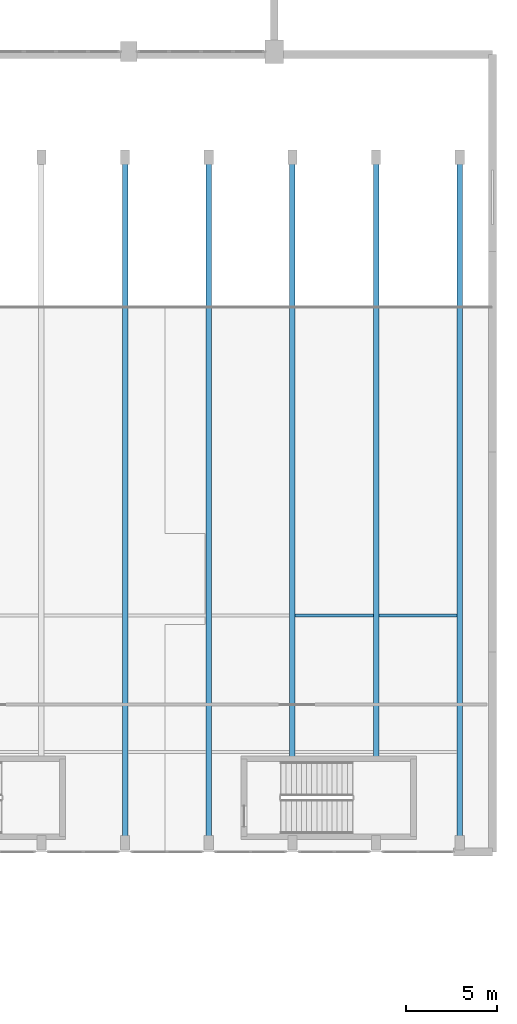
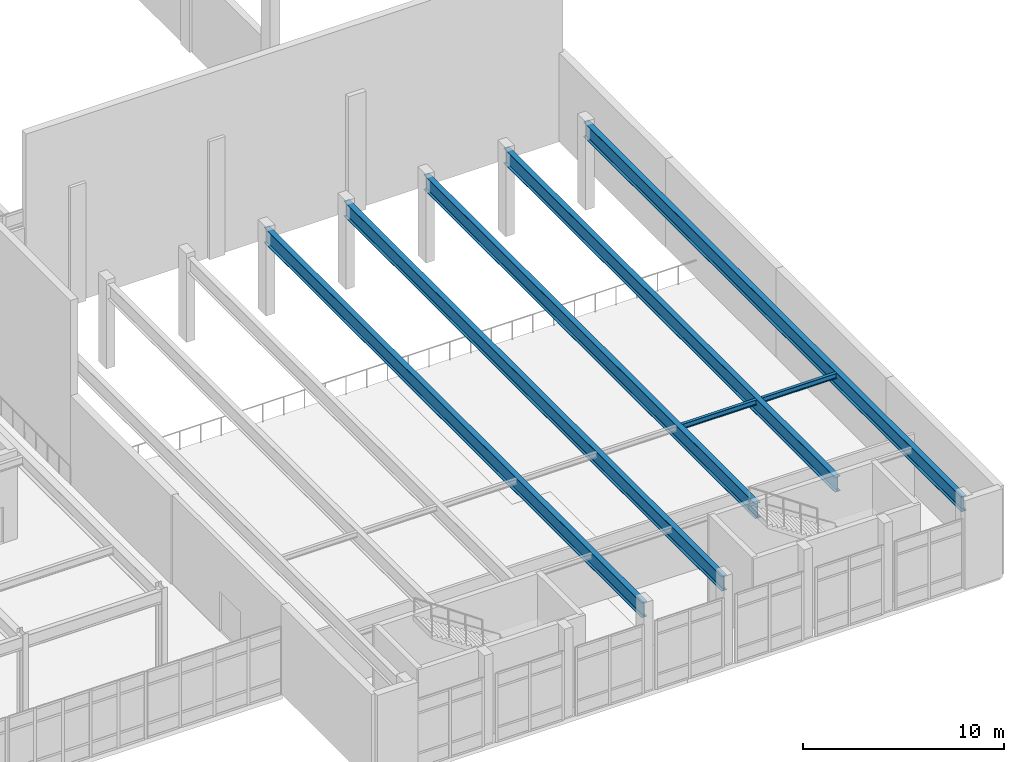
# One storey, part 43 of 84: 7 beams.
"""IFC4 building model written with IfcOpenShell, lengths in metres."""

from ifc_helpers import new_model, si_unit, direction, frame, origin, origin_2d, place, context, subcontext, project, spatial, i_section, extrude, material, material_profile, profile_set, type_object, element, save


model = new_model("IFC4")

# Units and contexts
model_context = context("Model", 3, precision=1e-05, world=origin(), true_north=direction((0.0, 1.0)))
body_context = subcontext(model_context, "Body", "Model", "MODEL_VIEW")
ifc_project = project(units=[si_unit("LENGTHUNIT", "METRE"), si_unit("AREAUNIT", "SQUARE_METRE"), si_unit("VOLUMEUNIT", "CUBIC_METRE"), si_unit("PLANEANGLEUNIT", "RADIAN"), si_unit("MASSUNIT", "GRAM", prefix="KILO")], contexts=[model_context])

# Site, building, storey
site_placement = place(None, origin())
site = spatial("IfcSite", under=ifc_project, at=site_placement, CompositionType="ELEMENT")
building_placement = place(site_placement, origin())
building = spatial("IfcBuilding", under=site, at=building_placement, Name="Tlacozan Convention Centre", CompositionType="ELEMENT")
storey_placement = place(building_placement, frame((0.0, 0.0, 6.0)))
storey = spatial("IfcBuildingStorey", under=building, at=storey_placement, Name="L01", CompositionType="ELEMENT", Elevation=6.0)

# Beams
ifc_material = material(Name="Steel ASTM A992 Grade 50", Category="steel")
ifc_material_profile_1 = material_profile(ifc_material, i_section(OverallWidth=0.30810546875, OverallDepth=0.927001953125, WebThickness=0.019287109375, FlangeThickness=0.031982421875, FilletRadius=0.01904296875, at=origin_2d()), Name="IR 914x289.0")
ifc_profile_set_1 = profile_set([ifc_material_profile_1], Name="Steel ASTM A992 Grade 50")
beam_type_1 = type_object("IfcBeamType", Name="Plenary Span Girder IR 914x289", PredefinedType="BEAM", material=ifc_profile_set_1)
for number, where, z_axis, x_axis, name in (
    (1, (159.800048828125, 18.5, 4.676513671875), (0.0, 1.0, 0.0), (-1.0, 0.0, 0.0), "L01 Plenary Span Girder IR 914x289 1600"),
    (2, (164.39990234375, 18.5, 4.676513671875), (0.0, 1.0, 0.0), (-1.0, 0.0, 0.0), "L01 Plenary Span Girder IR 914x289 1601"),
):
    element("IfcBeam", number, at=place(storey_placement, frame(where, z_axis=z_axis, x_axis=x_axis)), inside=storey, type_object=beam_type_1, Name=name, PredefinedType="BEAM", context=body_context, shape_type="SweptSolid", body=[
        extrude(i_section(OverallWidth=0.30810546875, OverallDepth=0.927001953125, WebThickness=0.019287109375, FlangeThickness=0.031982421875, FilletRadius=0.01904296875, at=origin_2d()), origin(), (0.0, 0.0, 1.0), 37.699951171875),
    ])
for number, where, z_axis, x_axis, name in (
    (3, (169.0, 23.1201171875, 4.676513671875), (0.0, 1.0, 0.0), (-1.0, 0.0, 0.0), "L01 Plenary Span Girder IR 914x289 1602"),
    (4, (173.60009765625, 23.1201171875, 4.676513671875), (0.0, 1.0, 0.0), (-1.0, 0.0, 0.0), "L01 Plenary Span Girder IR 914x289 1603"),
):
    element("IfcBeam", number, at=place(storey_placement, frame(where, z_axis=z_axis, x_axis=x_axis)), inside=storey, type_object=beam_type_1, Name=name, PredefinedType="BEAM", context=body_context, shape_type="SweptSolid", body=[
        extrude(i_section(OverallWidth=0.30810546875, OverallDepth=0.927001953125, WebThickness=0.019287109375, FlangeThickness=0.031982421875, FilletRadius=0.01904296875, at=origin_2d()), origin(), (0.0, 0.0, 1.0), 33.079833984375),
    ])
beam_1_placement = place(storey_placement, frame((178.199951171875, 18.5, 4.676513671875), z_axis=(0.0, 1.0, 0.0), x_axis=(-1.0, 0.0, 0.0)))
element("IfcBeam", 5, at=beam_1_placement, inside=storey, type_object=beam_type_1, Name="L01 Plenary Span Girder IR 914x289 1604", PredefinedType="BEAM", context=body_context, shape_type="SweptSolid", body=[
    extrude(i_section(OverallWidth=0.30810546875, OverallDepth=0.927001953125, WebThickness=0.019287109375, FlangeThickness=0.031982421875, FilletRadius=0.01904296875, at=origin_2d()), origin(), (0.0, 0.0, 1.0), 37.699951171875),
])
ifc_material_profile_2 = material_profile(ifc_material, i_section(OverallWidth=0.1669921875, OverallDepth=0.31689453125, WebThickness=0.007568359375, FlangeThickness=0.01318359375, FilletRadius=0.010009765625, at=origin_2d()), Name="IR 305x52.2")
ifc_profile_set_2 = profile_set([ifc_material_profile_2], Name="Steel ASTM A992 Grade 50")
beam_type_2 = type_object("IfcBeamType", Name="Secondary Joist IR 305x52.2", PredefinedType="JOIST", material=ifc_profile_set_2)
beam_2_placement = place(storey_placement, frame((169.152099609375, 31.0, 4.9814453125), z_axis=(1.0, 0.0, 0.0), x_axis=(0.0, 1.0, 0.0)))
element("IfcBeam", 6, at=beam_2_placement, inside=storey, type_object=beam_type_2, Name="L01 Secondary Joist IR 305x52.2 1616", PredefinedType="JOIST", context=body_context, shape_type="SweptSolid", body=[
    extrude(i_section(OverallWidth=0.1669921875, OverallDepth=0.31689453125, WebThickness=0.007568359375, FlangeThickness=0.01318359375, FilletRadius=0.010009765625, at=origin_2d()), origin(), (0.0, 0.0, 1.0), 4.2958984375),
])
beam_3_placement = place(storey_placement, frame((173.751953125, 31.0, 4.9814453125), z_axis=(1.0, 0.0, 0.0), x_axis=(0.0, 1.0, 0.0)))
element("IfcBeam", 7, at=beam_3_placement, inside=storey, type_object=beam_type_2, Name="L01 Secondary Joist IR 305x52.2 1618", PredefinedType="JOIST", context=body_context, shape_type="SweptSolid", body=[
    extrude(i_section(OverallWidth=0.1669921875, OverallDepth=0.31689453125, WebThickness=0.007568359375, FlangeThickness=0.01318359375, FilletRadius=0.010009765625, at=origin_2d()), origin(), (0.0, 0.0, 1.0), 4.296142578125),
])

save(model, "model.ifc")
